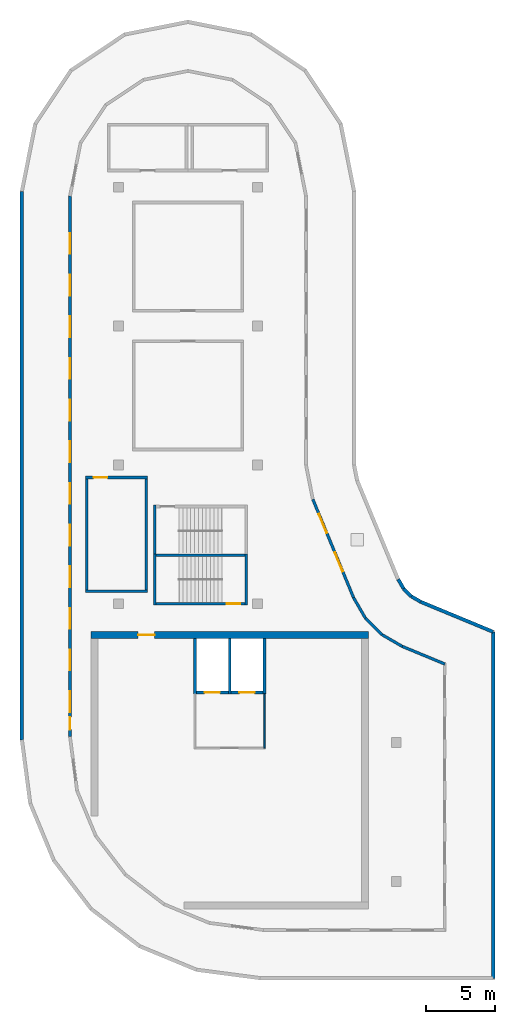
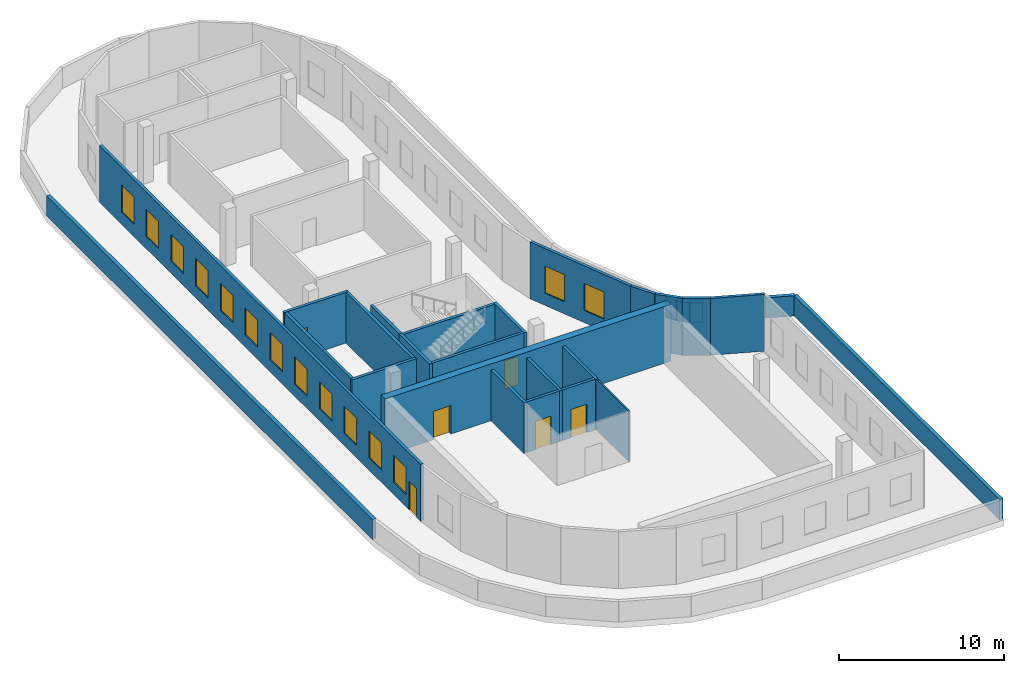
# One storey, part 2 of 5: 28 walls, 14 windows, 6 doors, 20 openings.
"""IFC4 building model written with IfcOpenShell, lengths in metres."""

from ifc_helpers import new_model, si_unit, direction, frame, frame_2d, origin, place, context, subcontext, project, spatial, rectangle, extrude, material, layer, layer_set, type_object, element, fill, save


model = new_model("IFC4")

# Units and contexts
model_context = context("Model", 3, precision=1e-05, world=origin(), true_north=direction((0.0, 1.0)))
body_context = subcontext(model_context, "Body", "Model", "MODEL_VIEW")
ifc_project = project(units=[si_unit("LENGTHUNIT", "METRE"), si_unit("AREAUNIT", "SQUARE_METRE"), si_unit("VOLUMEUNIT", "CUBIC_METRE"), si_unit("PLANEANGLEUNIT", "RADIAN"), si_unit("MASSUNIT", "GRAM", prefix="KILO")], contexts=[model_context])

# Site, building, storey
site_placement = place(None, origin())
site = spatial("IfcSite", under=ifc_project, at=site_placement, CompositionType="ELEMENT")
building_placement = place(site_placement, origin())
building = spatial("IfcBuilding", under=site, at=building_placement, Name="Qaws Garden Tower", CompositionType="ELEMENT")
storey_placement = place(building_placement, frame((0.0, 0.0, 369.60009765625)))
storey = spatial("IfcBuildingStorey", under=building, at=storey_placement, Name="C2", CompositionType="ELEMENT", Elevation=369.60009765625)

# Wall
ifc_material_1 = material(Name="Plasterboard")
ifc_layer_1 = layer(ifc_material_1, 0.10009765625)
ifc_layer_set_1 = layer_set([ifc_layer_1], Name="Plasterboard")
wall_type_1 = type_object("IfcWallType", Name="Core partition 100", PredefinedType="PARTITIONING", material=ifc_layer_set_1)
wall_1_placement = place(storey_placement, frame((20.5, 19.60009765625, 0.0), z_axis=(0.0, 0.0, 1.0), x_axis=(0.0, 1.0, 0.0)))
element("IfcWall", 1, at=wall_1_placement, inside=storey, type_object=wall_type_1, Name="Lift lobby wall", PredefinedType="PARTITIONING", context=body_context, shape_type="SweptSolid", body=[
    extrude(rectangle(XDim=3.89990234375, YDim=0.10009765625, at=frame_2d((1.949951171875, 0.0))), origin(), (0.0, 0.0, 1.0), 3.75),
])

# Wall, opening, door
ifc_material_2 = material(Name="Concrete C60", Category="concrete")
ifc_layer_2 = layer(ifc_material_2, 0.199951171875)
ifc_layer_set_2 = layer_set([ifc_layer_2], Name="Concrete C60")
wall_type_2 = type_object("IfcWallType", Name="Core shaft wall 200 C60", PredefinedType="SHEAR", material=ifc_layer_set_2)
wall_2_placement = place(storey_placement, frame((12.699951171875, 30.0, 0.0), z_axis=(0.0, 0.0, 1.0), x_axis=(1.0, 0.0, 0.0)))
wall_2 = element("IfcWall", 2, at=wall_2_placement, inside=storey, type_object=wall_type_2, Name="Crown stair 1 wall", PredefinedType="SHEAR", context=body_context, shape_type="SweptSolid", body=[
    extrude(rectangle(XDim=6.400146484375, YDim=0.199951171875, at=frame_2d((3.2001953125, 0.0))), origin(), (0.0, 0.0, 1.0), 3.75),
])
opening_1_placement = place(wall_2_placement, frame((5.074951171875, 0.0, 0.0)))
opening_1 = element("IfcOpeningElement", 3, at=opening_1_placement, cuts=wall_2, Name="Opening C1018", PredefinedType="OPENING", context=body_context, shape_type="SweptSolid", body=[
    extrude(rectangle(XDim=1.0, YDim=2.10009765625, at=frame_2d((0.5, 1.050048828125))), frame((0.0, 0.10986328125, 0.0), z_axis=(0.0, -1.0, 0.0), x_axis=(1.0, 0.0, 0.0)), (0.0, 0.0, 1.0), 0.219970703125),
])
ifc_material_3 = material(Name="Steel S235", Category="steel")
door_type_1 = type_object("IfcDoorType", Name="Stair door 1000x2100", OperationType="SINGLE_SWING_RIGHT", PredefinedType="DOOR", material=ifc_material_3)
door_1_placement = place(opening_1_placement, origin())
door_1 = element("IfcDoor", 4, at=door_1_placement, inside=storey, type_object=door_type_1, Name="Crown stair 1 door", OperationType="SINGLE_SWING_RIGHT", OverallHeight=2.10009765625, OverallWidth=1.0, PredefinedType="DOOR", context=body_context, shape_type="SweptSolid", body=[
    extrude(rectangle(XDim=1.0, YDim=2.10009765625, at=frame_2d((0.5, 1.050048828125))), frame((0.0, 0.02490234375, 0.0), z_axis=(0.0, -1.0, 0.0), x_axis=(1.0, 0.0, 0.0)), (0.0, 0.0, 1.0), 0.050048828125),
])
fill(opening_1, door_1)

# Walls
wall_3_placement = place(storey_placement, frame((12.699951171875, 33.5, 0.0), z_axis=(0.0, 0.0, 1.0), x_axis=(1.0, 0.0, 0.0)))
element("IfcWall", 5, at=wall_3_placement, inside=storey, type_object=wall_type_2, Name="Crown stair 1 wall", PredefinedType="SHEAR", context=body_context, shape_type="SweptSolid", body=[
    extrude(rectangle(XDim=6.400146484375, YDim=0.199951171875, at=frame_2d((3.2001953125, 0.0))), origin(), (0.0, 0.0, 1.0), 3.75),
])
for number, where, z_axis, x_axis, name in (
    (6, (12.60009765625, 29.89990234375, 0.0), (0.0, 0.0, 1.0), (0.0, 1.0, 0.0), "Crown stair 1 wall"),
    (7, (19.199951171875, 29.89990234375, 0.0), (0.0, 0.0, 1.0), (0.0, 1.0, 0.0), "Crown stair 1 wall"),
    (8, (12.60009765625, 33.39990234375, 0.0), (0.0, 0.0, 1.0), (0.0, 1.0, 0.0), "Crown stair 2 wall"),
):
    element("IfcWall", number, at=place(storey_placement, frame(where, z_axis=z_axis, x_axis=x_axis)), inside=storey, type_object=wall_type_2, Name=name, PredefinedType="SHEAR", context=body_context, shape_type="SweptSolid", body=[
        extrude(rectangle(XDim=3.7001953125, YDim=0.199951171875, at=frame_2d((1.85009765625, 0.0))), origin(), (0.0, 0.0, 1.0), 3.75),
    ])
for number, where, z_axis, x_axis, name in (
    (9, (15.5, 23.5, 0.0), (0.0, 0.0, 1.0), (0.0, 1.0, 0.0), "Lift shaft wall"),
    (10, (18.0, 23.5, 0.0), (0.0, 0.0, 1.0), (0.0, 1.0, 0.0), "Lift shaft wall"),
    (11, (20.5, 23.5, 0.0), (0.0, 0.0, 1.0), (0.0, 1.0, 0.0), "Lift shaft wall"),
):
    element("IfcWall", number, at=place(storey_placement, frame(where, z_axis=z_axis, x_axis=x_axis)), inside=storey, type_object=wall_type_2, Name=name, PredefinedType="SHEAR", context=body_context, shape_type="SweptSolid", body=[
        extrude(rectangle(XDim=4.0, YDim=0.199951171875, at=frame_2d((2.0, 0.0))), origin(), (0.0, 0.0, 1.0), 3.75),
    ])

# Wall, opening, door
wall_4_placement = place(storey_placement, frame((15.60009765625, 23.60009765625, 0.0), z_axis=(0.0, 0.0, 1.0), x_axis=(1.0, 0.0, 0.0)))
wall_4 = element("IfcWall", 12, at=wall_4_placement, inside=storey, type_object=wall_type_2, Name="Lift shaft wall", PredefinedType="SHEAR", context=body_context, shape_type="SweptSolid", body=[
    extrude(rectangle(XDim=2.2998046875, YDim=0.199951171875, at=frame_2d((1.14990234375, 0.0))), origin(), (0.0, 0.0, 1.0), 3.75),
])
opening_2_placement = place(wall_4_placement, frame((0.60009765625, 0.0, 0.0)))
opening_2 = element("IfcOpeningElement", 13, at=opening_2_placement, cuts=wall_4, Name="Opening LD", PredefinedType="OPENING", context=body_context, shape_type="SweptSolid", body=[
    extrude(rectangle(XDim=1.10009765625, YDim=2.10009765625, at=frame_2d((0.550048828125, 1.050048828125))), frame((0.0, 0.10986328125, 0.0), z_axis=(0.0, -1.0, 0.0), x_axis=(1.0, 0.0, 0.0)), (0.0, 0.0, 1.0), 0.219970703125),
])
ifc_material_4 = material(Name="Steel S235", Category="steel")
door_type_2 = type_object("IfcDoorType", Name="Landing door 1100x2100", OperationType="DOUBLE_DOOR_SLIDING", PredefinedType="DOOR", material=ifc_material_4)
door_2_placement = place(opening_2_placement, origin())
door_2 = element("IfcDoor", 14, at=door_2_placement, inside=storey, type_object=door_type_2, Name="Lift FF3 landing door", OperationType="DOUBLE_DOOR_SLIDING", OverallHeight=2.10009765625, OverallWidth=1.10009765625, PredefinedType="DOOR", context=body_context, shape_type="SweptSolid", body=[
    extrude(rectangle(XDim=1.10009765625, YDim=2.10009765625, at=frame_2d((0.550048828125, 1.050048828125))), frame((0.0, 0.02490234375, 0.0), z_axis=(0.0, -1.0, 0.0), x_axis=(1.0, 0.0, 0.0)), (0.0, 0.0, 1.0), 0.050048828125),
])
fill(opening_2, door_2)

wall_5_placement = place(storey_placement, frame((18.10009765625, 23.60009765625, 0.0), z_axis=(0.0, 0.0, 1.0), x_axis=(1.0, 0.0, 0.0)))
wall_5 = element("IfcWall", 15, at=wall_5_placement, inside=storey, type_object=wall_type_2, Name="Lift shaft wall", PredefinedType="SHEAR", context=body_context, shape_type="SweptSolid", body=[
    extrude(rectangle(XDim=2.2998046875, YDim=0.199951171875, at=frame_2d((1.14990234375, 0.0))), origin(), (0.0, 0.0, 1.0), 3.75),
])
opening_3_placement = place(wall_5_placement, frame((0.60009765625, 0.0, 0.0)))
opening_3 = element("IfcOpeningElement", 16, at=opening_3_placement, cuts=wall_5, Name="Opening LD", PredefinedType="OPENING", context=body_context, shape_type="SweptSolid", body=[
    extrude(rectangle(XDim=1.10009765625, YDim=2.10009765625, at=frame_2d((0.550048828125, 1.050048828125))), frame((0.0, 0.10986328125, 0.0), z_axis=(0.0, -1.0, 0.0), x_axis=(1.0, 0.0, 0.0)), (0.0, 0.0, 1.0), 0.219970703125),
])
door_3_placement = place(opening_3_placement, origin())
door_3 = element("IfcDoor", 17, at=door_3_placement, inside=storey, type_object=door_type_2, Name="Lift SV2 landing door", OperationType="DOUBLE_DOOR_SLIDING", OverallHeight=2.10009765625, OverallWidth=1.10009765625, PredefinedType="DOOR", context=body_context, shape_type="SweptSolid", body=[
    extrude(rectangle(XDim=1.10009765625, YDim=2.10009765625, at=frame_2d((0.550048828125, 1.050048828125))), frame((0.0, 0.02490234375, 0.0), z_axis=(0.0, -1.0, 0.0), x_axis=(1.0, 0.0, 0.0)), (0.0, 0.0, 1.0), 0.050048828125),
])
fill(opening_3, door_3)

ifc_material_5 = material(Name="Concrete C60", Category="concrete")
ifc_layer_3 = layer(ifc_material_5, 0.5)
ifc_layer_set_3 = layer_set([ifc_layer_3], Name="Concrete C60")
wall_type_3 = type_object("IfcWallType", Name="Core wall 500 C60", PredefinedType="SHEAR", material=ifc_layer_set_3)
wall_6_placement = place(storey_placement, frame((28.0, 27.75, 0.0), z_axis=(0.0, 0.0, 1.0), x_axis=(-1.0, 0.0, 0.0)))
wall_6 = element("IfcWall", 18, at=wall_6_placement, inside=storey, type_object=wall_type_3, Name="Core wall C2 north", PredefinedType="SHEAR", context=body_context, shape_type="SweptSolid", body=[
    extrude(rectangle(XDim=20.0, YDim=0.5, at=frame_2d((10.0, 0.0))), origin(), (0.0, 0.0, 1.0), 4.199951171875),
])
opening_4_placement = place(wall_6_placement, frame((15.39990234375, 0.0, 0.0)))
opening_4 = element("IfcOpeningElement", 19, at=opening_4_placement, cuts=wall_6, Name="Opening FD", PredefinedType="OPENING", context=body_context, shape_type="SweptSolid", body=[
    extrude(rectangle(XDim=1.199951171875, YDim=2.10009765625, at=frame_2d((0.60009765625, 1.050048828125))), frame((0.0, 0.260009765625, 0.0), z_axis=(0.0, -1.0, 0.0), x_axis=(1.0, 0.0, 0.0)), (0.0, 0.0, 1.0), 0.52001953125),
])
ifc_material_6 = material(Name="Steel S235", Category="steel")
door_type_3 = type_object("IfcDoorType", Name="Lobby door 1200x2100", OperationType="DOUBLE_DOOR_SINGLE_SWING", PredefinedType="DOOR", material=ifc_material_6)
door_4_placement = place(opening_4_placement, frame((1.199951171875, 0.0, 0.0), z_axis=(0.0, 0.0, 1.0), x_axis=(-1.0, 0.0, 0.0)))
door_4 = element("IfcDoor", 20, at=door_4_placement, inside=storey, type_object=door_type_3, Name="Core corridor door", OperationType="DOUBLE_DOOR_SINGLE_SWING", OverallHeight=2.10009765625, OverallWidth=1.199951171875, PredefinedType="DOOR", context=body_context, shape_type="SweptSolid", body=[
    extrude(rectangle(XDim=1.199951171875, YDim=2.10009765625, at=frame_2d((0.60009765625, 1.050048828125))), frame((0.0, 0.02490234375, 0.0), z_axis=(0.0, -1.0, 0.0), x_axis=(1.0, 0.0, 0.0)), (0.0, 0.0, 1.0), 0.050048828125),
])
fill(opening_4, door_4)

# Walls
ifc_material_7 = material(Name="Brick masonry", Category="masonry")
ifc_layer_4 = layer(ifc_material_7, 0.25)
ifc_layer_set_4 = layer_set([ifc_layer_4], Name="Brick masonry")
wall_type_4 = type_object("IfcWallType", Name="Parapet 250", PredefinedType="PARAPET", material=ifc_layer_set_4)
wall_7_placement = place(storey_placement, frame((3.02490234375, 20.1982421875, 0.0), z_axis=(0.0, 0.0, 1.0), x_axis=(0.0, 1.0, 0.0)))
element("IfcWall", 21, at=wall_7_placement, inside=storey, type_object=wall_type_4, Name="Maintenance terrace parapet C2", PredefinedType="PARAPET", context=body_context, shape_type="SweptSolid", body=[
    extrude(rectangle(XDim=39.50390625, YDim=0.25, at=frame_2d((19.751953125, 0.0))), origin(), (0.0, 0.0, 1.0), 1.5),
])
wall_8_placement = place(storey_placement, frame((30.13720703125, 31.763671875, 0.0), z_axis=(0.0, 0.0, 1.0), x_axis=(0.500371262739, -0.865810949009, 0.0)))
element("IfcWall", 22, at=wall_8_placement, inside=storey, type_object=wall_type_4, Name="Maintenance terrace parapet C2", PredefinedType="PARAPET", context=body_context, shape_type="SweptSolid", body=[
    extrude(rectangle(XDim=0.78173828125, YDim=0.25, at=frame_2d((0.390869140625, 0.0))), origin(), (0.0, 0.0, 1.0), 1.5),
])
wall_9_placement = place(storey_placement, frame((30.5283203125, 31.0869140625, 0.0), z_axis=(0.0, 0.0, 1.0), x_axis=(0.707106781187, -0.707106781187, 0.0)))
element("IfcWall", 23, at=wall_9_placement, inside=storey, type_object=wall_type_4, Name="Maintenance terrace parapet C2", PredefinedType="PARAPET", context=body_context, shape_type="SweptSolid", body=[
    extrude(rectangle(XDim=0.7900390625, YDim=0.25, at=frame_2d((0.39501953125, 0.0))), origin(), (0.0, 0.0, 1.0), 1.5),
])
wall_10_placement = place(storey_placement, frame((31.0869140625, 30.5283203125, 0.0), z_axis=(0.0, 0.0, 1.0), x_axis=(0.865810949009, -0.500371262739, 0.0)))
element("IfcWall", 24, at=wall_10_placement, inside=storey, type_object=wall_type_4, Name="Maintenance terrace parapet C2", PredefinedType="PARAPET", context=body_context, shape_type="SweptSolid", body=[
    extrude(rectangle(XDim=0.78173828125, YDim=0.25, at=frame_2d((0.390869140625, 0.0))), origin(), (0.0, 0.0, 1.0), 1.5),
])
wall_11_placement = place(storey_placement, frame((31.763671875, 30.13720703125, 0.0), z_axis=(0.0, 0.0, 1.0), x_axis=(0.923891815311, -0.382653777718, 0.0)))
element("IfcWall", 25, at=wall_11_placement, inside=storey, type_object=wall_type_4, Name="Maintenance terrace parapet C2", PredefinedType="PARAPET", context=body_context, shape_type="SweptSolid", body=[
    extrude(rectangle(XDim=5.640625, YDim=0.25, at=frame_2d((2.8203125, 0.0))), origin(), (0.0, 0.0, 1.0), 1.5),
])
wall_12_placement = place(storey_placement, frame((36.97509765625, 27.978759765625, 0.0), z_axis=(0.0, 0.0, 1.0), x_axis=(0.0, -1.0, 0.0)))
element("IfcWall", 26, at=wall_12_placement, inside=storey, type_object=wall_type_4, Name="Maintenance terrace parapet C2", PredefinedType="PARAPET", context=body_context, shape_type="SweptSolid", body=[
    extrude(rectangle(XDim=24.953857421875, YDim=0.25, at=frame_2d((12.47705078125, 0.0))), origin(), (0.0, 0.0, 1.0), 1.5),
])
ifc_material_8 = material(Name="Blockwork", Category="masonry")
ifc_layer_5 = layer(ifc_material_8, 0.199951171875)
ifc_layer_set_5 = layer_set([ifc_layer_5], Name="Blockwork")
wall_type_5 = type_object("IfcWallType", Name="Plant room wall 200", PredefinedType="PARTITIONING", material=ifc_layer_set_5)
wall_13_placement = place(storey_placement, frame((7.60009765625, 30.89990234375, 0.0), z_axis=(0.0, 0.0, 1.0), x_axis=(1.0, 0.0, 0.0)))
element("IfcWall", 27, at=wall_13_placement, inside=storey, type_object=wall_type_5, Name="Mechanical plant room wall", PredefinedType="PARTITIONING", context=body_context, shape_type="SweptSolid", body=[
    extrude(rectangle(XDim=4.5, YDim=0.199951171875, at=frame_2d((2.25, 0.0))), origin(), (0.0, 0.0, 1.0), 3.75),
])

# Wall, opening, door
wall_14_placement = place(storey_placement, frame((7.60009765625, 39.10009765625, 0.0), z_axis=(0.0, 0.0, 1.0), x_axis=(1.0, 0.0, 0.0)))
wall_14 = element("IfcWall", 28, at=wall_14_placement, inside=storey, type_object=wall_type_5, Name="Mechanical plant room wall", PredefinedType="PARTITIONING", context=body_context, shape_type="SweptSolid", body=[
    extrude(rectangle(XDim=4.5, YDim=0.199951171875, at=frame_2d((2.25, 0.0))), origin(), (0.0, 0.0, 1.0), 3.75),
])
opening_5_placement = place(wall_14_placement, frame((0.60009765625, 0.0, 0.0)))
opening_5 = element("IfcOpeningElement", 29, at=opening_5_placement, cuts=wall_14, Name="Opening PD12-05", PredefinedType="OPENING", context=body_context, shape_type="SweptSolid", body=[
    extrude(rectangle(XDim=1.0, YDim=2.10009765625, at=frame_2d((0.5, 1.050048828125))), frame((0.0, 0.10986328125, 0.0), z_axis=(0.0, -1.0, 0.0), x_axis=(1.0, 0.0, 0.0)), (0.0, 0.0, 1.0), 0.219970703125),
])
ifc_material_9 = material(Name="Steel S235 framed door leaf", Category="steel")
door_type_4 = type_object("IfcDoorType", Name="Door D12 fire single 1000", OperationType="SINGLE_SWING_LEFT", PredefinedType="DOOR", material=ifc_material_9)
door_5_placement = place(opening_5_placement, frame((1.0, 0.0, 0.0), z_axis=(0.0, 0.0, 1.0), x_axis=(-1.0, 0.0, 0.0)))
door_5 = element("IfcDoor", 30, at=door_5_placement, inside=storey, type_object=door_type_4, Name="Mechanical plant room door", OperationType="SINGLE_SWING_RIGHT", OverallHeight=2.10009765625, OverallWidth=1.0, PredefinedType="DOOR", context=body_context, shape_type="SweptSolid", body=[
    extrude(rectangle(XDim=1.0, YDim=2.10009765625, at=frame_2d((0.5, 1.050048828125))), frame((0.0, 0.02490234375, 0.0), z_axis=(0.0, -1.0, 0.0), x_axis=(1.0, 0.0, 0.0)), (0.0, 0.0, 1.0), 0.050048828125),
])
fill(opening_5, door_5)

# Walls
for number, where, z_axis, x_axis, name in (
    (31, (7.699951171875, 31.0, 0.0), (0.0, 0.0, 1.0), (0.0, 1.0, 0.0), "Mechanical plant room wall"),
    (32, (12.0, 31.0, 0.0), (0.0, 0.0, 1.0), (0.0, 1.0, 0.0), "Mechanical plant room wall"),
):
    element("IfcWall", number, at=place(storey_placement, frame(where, z_axis=z_axis, x_axis=x_axis)), inside=storey, type_object=wall_type_5, Name=name, PredefinedType="PARTITIONING", context=body_context, shape_type="SweptSolid", body=[
        extrude(rectangle(XDim=8.0, YDim=0.199951171875, at=frame_2d((4.0, 0.0))), origin(), (0.0, 0.0, 1.0), 3.75),
    ])

# Wall, openings, windows, door
ifc_material_10 = material(Name="Brick masonry", Category="masonry")
ifc_layer_6 = layer(ifc_material_10, 0.199951171875)
ifc_layer_set_6 = layer_set([ifc_layer_6], Name="Brick masonry")
wall_type_6 = type_object("IfcWallType", Name="Plant screen louvre 200", PredefinedType="STANDARD", material=ifc_layer_set_6)
wall_15_placement = place(storey_placement, frame((6.5, 20.426025390625, 0.0), z_axis=(0.0, 0.0, 1.0), x_axis=(0.0, 1.0, 0.0)))
wall_15 = element("IfcWall", 33, at=wall_15_placement, inside=storey, type_object=wall_type_6, Name="Plant screen wall C2 7", PredefinedType="STANDARD", context=body_context, shape_type="SweptSolid", body=[
    extrude(rectangle(XDim=38.933837890625, YDim=0.199951171875, at=frame_2d((19.466796875, 0.0))), origin(), (0.0, 0.0, 1.0), 4.199951171875),
])
opening_6_placement = place(wall_15_placement, frame((1.766845703125, 0.0, 0.89990234375)))
opening_6 = element("IfcOpeningElement", 34, at=opening_6_placement, cuts=wall_15, Name="Opening PW-S4", PredefinedType="OPENING", context=body_context, shape_type="SweptSolid", body=[
    extrude(rectangle(XDim=1.5, YDim=2.0, at=frame_2d((0.75, 1.0))), frame((0.0, 0.10986328125, 0.0), z_axis=(0.0, -1.0, 0.0), x_axis=(1.0, 0.0, 0.0)), (0.0, 0.0, 1.0), 0.219970703125),
])
opening_7_placement = place(wall_15_placement, frame((4.766845703125, 0.0, 0.89990234375)))
opening_7 = element("IfcOpeningElement", 35, at=opening_7_placement, cuts=wall_15, Name="Opening PW-S4", PredefinedType="OPENING", context=body_context, shape_type="SweptSolid", body=[
    extrude(rectangle(XDim=1.5, YDim=2.0, at=frame_2d((0.75, 1.0))), frame((0.0, 0.10986328125, 0.0), z_axis=(0.0, -1.0, 0.0), x_axis=(1.0, 0.0, 0.0)), (0.0, 0.0, 1.0), 0.219970703125),
])
opening_8_placement = place(wall_15_placement, frame((7.766845703125, 0.0, 0.89990234375)))
opening_8 = element("IfcOpeningElement", 36, at=opening_8_placement, cuts=wall_15, Name="Opening PW-S4", PredefinedType="OPENING", context=body_context, shape_type="SweptSolid", body=[
    extrude(rectangle(XDim=1.5, YDim=2.0, at=frame_2d((0.75, 1.0))), frame((0.0, 0.10986328125, 0.0), z_axis=(0.0, -1.0, 0.0), x_axis=(1.0, 0.0, 0.0)), (0.0, 0.0, 1.0), 0.219970703125),
])
opening_9_placement = place(wall_15_placement, frame((10.766845703125, 0.0, 0.89990234375)))
opening_9 = element("IfcOpeningElement", 37, at=opening_9_placement, cuts=wall_15, Name="Opening PW-S4", PredefinedType="OPENING", context=body_context, shape_type="SweptSolid", body=[
    extrude(rectangle(XDim=1.5, YDim=2.0, at=frame_2d((0.75, 1.0))), frame((0.0, 0.10986328125, 0.0), z_axis=(0.0, -1.0, 0.0), x_axis=(1.0, 0.0, 0.0)), (0.0, 0.0, 1.0), 0.219970703125),
])
opening_10_placement = place(wall_15_placement, frame((13.766845703125, 0.0, 0.89990234375)))
opening_10 = element("IfcOpeningElement", 38, at=opening_10_placement, cuts=wall_15, Name="Opening PW-S4", PredefinedType="OPENING", context=body_context, shape_type="SweptSolid", body=[
    extrude(rectangle(XDim=1.5, YDim=2.0, at=frame_2d((0.75, 1.0))), frame((0.0, 0.10986328125, 0.0), z_axis=(0.0, -1.0, 0.0), x_axis=(1.0, 0.0, 0.0)), (0.0, 0.0, 1.0), 0.219970703125),
])
opening_11_placement = place(wall_15_placement, frame((16.766845703125, 0.0, 0.89990234375)))
opening_11 = element("IfcOpeningElement", 39, at=opening_11_placement, cuts=wall_15, Name="Opening PW-S4", PredefinedType="OPENING", context=body_context, shape_type="SweptSolid", body=[
    extrude(rectangle(XDim=1.5, YDim=2.0, at=frame_2d((0.75, 1.0))), frame((0.0, 0.10986328125, 0.0), z_axis=(0.0, -1.0, 0.0), x_axis=(1.0, 0.0, 0.0)), (0.0, 0.0, 1.0), 0.219970703125),
])
opening_12_placement = place(wall_15_placement, frame((19.766845703125, 0.0, 0.89990234375)))
opening_12 = element("IfcOpeningElement", 40, at=opening_12_placement, cuts=wall_15, Name="Opening PW-S4", PredefinedType="OPENING", context=body_context, shape_type="SweptSolid", body=[
    extrude(rectangle(XDim=1.5, YDim=2.0, at=frame_2d((0.75, 1.0))), frame((0.0, 0.10986328125, 0.0), z_axis=(0.0, -1.0, 0.0), x_axis=(1.0, 0.0, 0.0)), (0.0, 0.0, 1.0), 0.219970703125),
])
opening_13_placement = place(wall_15_placement, frame((22.766845703125, 0.0, 0.89990234375)))
opening_13 = element("IfcOpeningElement", 41, at=opening_13_placement, cuts=wall_15, Name="Opening PW-S4", PredefinedType="OPENING", context=body_context, shape_type="SweptSolid", body=[
    extrude(rectangle(XDim=1.5, YDim=2.0, at=frame_2d((0.75, 1.0))), frame((0.0, 0.10986328125, 0.0), z_axis=(0.0, -1.0, 0.0), x_axis=(1.0, 0.0, 0.0)), (0.0, 0.0, 1.0), 0.219970703125),
])
opening_14_placement = place(wall_15_placement, frame((25.766845703125, 0.0, 0.89990234375)))
opening_14 = element("IfcOpeningElement", 42, at=opening_14_placement, cuts=wall_15, Name="Opening PW-S4", PredefinedType="OPENING", context=body_context, shape_type="SweptSolid", body=[
    extrude(rectangle(XDim=1.5, YDim=2.0, at=frame_2d((0.75, 1.0))), frame((0.0, 0.10986328125, 0.0), z_axis=(0.0, -1.0, 0.0), x_axis=(1.0, 0.0, 0.0)), (0.0, 0.0, 1.0), 0.219970703125),
])
opening_15_placement = place(wall_15_placement, frame((28.766845703125, 0.0, 0.89990234375)))
opening_15 = element("IfcOpeningElement", 43, at=opening_15_placement, cuts=wall_15, Name="Opening PW-S4", PredefinedType="OPENING", context=body_context, shape_type="SweptSolid", body=[
    extrude(rectangle(XDim=1.5, YDim=2.0, at=frame_2d((0.75, 1.0))), frame((0.0, 0.10986328125, 0.0), z_axis=(0.0, -1.0, 0.0), x_axis=(1.0, 0.0, 0.0)), (0.0, 0.0, 1.0), 0.219970703125),
])
opening_16_placement = place(wall_15_placement, frame((31.766845703125, 0.0, 0.89990234375)))
opening_16 = element("IfcOpeningElement", 44, at=opening_16_placement, cuts=wall_15, Name="Opening PW-S4", PredefinedType="OPENING", context=body_context, shape_type="SweptSolid", body=[
    extrude(rectangle(XDim=1.5, YDim=2.0, at=frame_2d((0.75, 1.0))), frame((0.0, 0.10986328125, 0.0), z_axis=(0.0, -1.0, 0.0), x_axis=(1.0, 0.0, 0.0)), (0.0, 0.0, 1.0), 0.219970703125),
])
opening_17_placement = place(wall_15_placement, frame((34.766845703125, 0.0, 0.89990234375)))
opening_17 = element("IfcOpeningElement", 45, at=opening_17_placement, cuts=wall_15, Name="Opening PW-S4", PredefinedType="OPENING", context=body_context, shape_type="SweptSolid", body=[
    extrude(rectangle(XDim=1.5, YDim=2.0, at=frame_2d((0.75, 1.0))), frame((0.0, 0.10986328125, 0.0), z_axis=(0.0, -1.0, 0.0), x_axis=(1.0, 0.0, 0.0)), (0.0, 0.0, 1.0), 0.219970703125),
])
opening_18_placement = place(wall_15_placement, frame((0.5, 0.0, 0.0)))
opening_18 = element("IfcOpeningElement", 46, at=opening_18_placement, cuts=wall_15, Name="Opening PD9-01", PredefinedType="OPENING", context=body_context, shape_type="SweptSolid", body=[
    extrude(rectangle(XDim=0.89990234375, YDim=2.10009765625, at=frame_2d((0.449951171875, 1.050048828125))), frame((0.0, 0.10986328125, 0.0), z_axis=(0.0, -1.0, 0.0), x_axis=(1.0, 0.0, 0.0)), (0.0, 0.0, 1.0), 0.219970703125),
])
ifc_material_11 = material(Name="Aluminium louvre", Category="aluminium")
window_type = type_object("IfcWindowType", Name="Plant louvre 1500", PartitioningType="SINGLE_PANEL", PredefinedType="WINDOW", material=ifc_material_11)
window_1_placement = place(opening_6_placement, origin())
window_1 = element("IfcWindow", 47, at=window_1_placement, inside=storey, type_object=window_type, Name="Plant louvre", OverallHeight=2.0, OverallWidth=1.5, PartitioningType="SINGLE_PANEL", PredefinedType="WINDOW", context=body_context, shape_type="SweptSolid", body=[
    extrude(rectangle(XDim=1.5, YDim=2.0, at=frame_2d((0.75, 1.0))), frame((0.0, 0.030029296875, 0.0), z_axis=(0.0, -1.0, 0.0), x_axis=(1.0, 0.0, 0.0)), (0.0, 0.0, 1.0), 0.06005859375),
])
fill(opening_6, window_1)
window_2_placement = place(opening_7_placement, origin())
window_2 = element("IfcWindow", 48, at=window_2_placement, inside=storey, type_object=window_type, Name="Plant louvre", OverallHeight=2.0, OverallWidth=1.5, PartitioningType="SINGLE_PANEL", PredefinedType="WINDOW", context=body_context, shape_type="SweptSolid", body=[
    extrude(rectangle(XDim=1.5, YDim=2.0, at=frame_2d((0.75, 1.0))), frame((0.0, 0.030029296875, 0.0), z_axis=(0.0, -1.0, 0.0), x_axis=(1.0, 0.0, 0.0)), (0.0, 0.0, 1.0), 0.06005859375),
])
fill(opening_7, window_2)
window_3_placement = place(opening_8_placement, origin())
window_3 = element("IfcWindow", 49, at=window_3_placement, inside=storey, type_object=window_type, Name="Plant louvre", OverallHeight=2.0, OverallWidth=1.5, PartitioningType="SINGLE_PANEL", PredefinedType="WINDOW", context=body_context, shape_type="SweptSolid", body=[
    extrude(rectangle(XDim=1.5, YDim=2.0, at=frame_2d((0.75, 1.0))), frame((0.0, 0.030029296875, 0.0), z_axis=(0.0, -1.0, 0.0), x_axis=(1.0, 0.0, 0.0)), (0.0, 0.0, 1.0), 0.06005859375),
])
fill(opening_8, window_3)
window_4_placement = place(opening_9_placement, origin())
window_4 = element("IfcWindow", 50, at=window_4_placement, inside=storey, type_object=window_type, Name="Plant louvre", OverallHeight=2.0, OverallWidth=1.5, PartitioningType="SINGLE_PANEL", PredefinedType="WINDOW", context=body_context, shape_type="SweptSolid", body=[
    extrude(rectangle(XDim=1.5, YDim=2.0, at=frame_2d((0.75, 1.0))), frame((0.0, 0.030029296875, 0.0), z_axis=(0.0, -1.0, 0.0), x_axis=(1.0, 0.0, 0.0)), (0.0, 0.0, 1.0), 0.06005859375),
])
fill(opening_9, window_4)
window_5_placement = place(opening_10_placement, origin())
window_5 = element("IfcWindow", 51, at=window_5_placement, inside=storey, type_object=window_type, Name="Plant louvre", OverallHeight=2.0, OverallWidth=1.5, PartitioningType="SINGLE_PANEL", PredefinedType="WINDOW", context=body_context, shape_type="SweptSolid", body=[
    extrude(rectangle(XDim=1.5, YDim=2.0, at=frame_2d((0.75, 1.0))), frame((0.0, 0.030029296875, 0.0), z_axis=(0.0, -1.0, 0.0), x_axis=(1.0, 0.0, 0.0)), (0.0, 0.0, 1.0), 0.06005859375),
])
fill(opening_10, window_5)
window_6_placement = place(opening_11_placement, origin())
window_6 = element("IfcWindow", 52, at=window_6_placement, inside=storey, type_object=window_type, Name="Plant louvre", OverallHeight=2.0, OverallWidth=1.5, PartitioningType="SINGLE_PANEL", PredefinedType="WINDOW", context=body_context, shape_type="SweptSolid", body=[
    extrude(rectangle(XDim=1.5, YDim=2.0, at=frame_2d((0.75, 1.0))), frame((0.0, 0.030029296875, 0.0), z_axis=(0.0, -1.0, 0.0), x_axis=(1.0, 0.0, 0.0)), (0.0, 0.0, 1.0), 0.06005859375),
])
fill(opening_11, window_6)
window_7_placement = place(opening_12_placement, origin())
window_7 = element("IfcWindow", 53, at=window_7_placement, inside=storey, type_object=window_type, Name="Plant louvre", OverallHeight=2.0, OverallWidth=1.5, PartitioningType="SINGLE_PANEL", PredefinedType="WINDOW", context=body_context, shape_type="SweptSolid", body=[
    extrude(rectangle(XDim=1.5, YDim=2.0, at=frame_2d((0.75, 1.0))), frame((0.0, 0.030029296875, 0.0), z_axis=(0.0, -1.0, 0.0), x_axis=(1.0, 0.0, 0.0)), (0.0, 0.0, 1.0), 0.06005859375),
])
fill(opening_12, window_7)
window_8_placement = place(opening_13_placement, origin())
window_8 = element("IfcWindow", 54, at=window_8_placement, inside=storey, type_object=window_type, Name="Plant louvre", OverallHeight=2.0, OverallWidth=1.5, PartitioningType="SINGLE_PANEL", PredefinedType="WINDOW", context=body_context, shape_type="SweptSolid", body=[
    extrude(rectangle(XDim=1.5, YDim=2.0, at=frame_2d((0.75, 1.0))), frame((0.0, 0.030029296875, 0.0), z_axis=(0.0, -1.0, 0.0), x_axis=(1.0, 0.0, 0.0)), (0.0, 0.0, 1.0), 0.06005859375),
])
fill(opening_13, window_8)
window_9_placement = place(opening_14_placement, origin())
window_9 = element("IfcWindow", 55, at=window_9_placement, inside=storey, type_object=window_type, Name="Plant louvre", OverallHeight=2.0, OverallWidth=1.5, PartitioningType="SINGLE_PANEL", PredefinedType="WINDOW", context=body_context, shape_type="SweptSolid", body=[
    extrude(rectangle(XDim=1.5, YDim=2.0, at=frame_2d((0.75, 1.0))), frame((0.0, 0.030029296875, 0.0), z_axis=(0.0, -1.0, 0.0), x_axis=(1.0, 0.0, 0.0)), (0.0, 0.0, 1.0), 0.06005859375),
])
fill(opening_14, window_9)
window_10_placement = place(opening_15_placement, origin())
window_10 = element("IfcWindow", 56, at=window_10_placement, inside=storey, type_object=window_type, Name="Plant louvre", OverallHeight=2.0, OverallWidth=1.5, PartitioningType="SINGLE_PANEL", PredefinedType="WINDOW", context=body_context, shape_type="SweptSolid", body=[
    extrude(rectangle(XDim=1.5, YDim=2.0, at=frame_2d((0.75, 1.0))), frame((0.0, 0.030029296875, 0.0), z_axis=(0.0, -1.0, 0.0), x_axis=(1.0, 0.0, 0.0)), (0.0, 0.0, 1.0), 0.06005859375),
])
fill(opening_15, window_10)
window_11_placement = place(opening_16_placement, origin())
window_11 = element("IfcWindow", 57, at=window_11_placement, inside=storey, type_object=window_type, Name="Plant louvre", OverallHeight=2.0, OverallWidth=1.5, PartitioningType="SINGLE_PANEL", PredefinedType="WINDOW", context=body_context, shape_type="SweptSolid", body=[
    extrude(rectangle(XDim=1.5, YDim=2.0, at=frame_2d((0.75, 1.0))), frame((0.0, 0.030029296875, 0.0), z_axis=(0.0, -1.0, 0.0), x_axis=(1.0, 0.0, 0.0)), (0.0, 0.0, 1.0), 0.06005859375),
])
fill(opening_16, window_11)
window_12_placement = place(opening_17_placement, origin())
window_12 = element("IfcWindow", 58, at=window_12_placement, inside=storey, type_object=window_type, Name="Plant louvre", OverallHeight=2.0, OverallWidth=1.5, PartitioningType="SINGLE_PANEL", PredefinedType="WINDOW", context=body_context, shape_type="SweptSolid", body=[
    extrude(rectangle(XDim=1.5, YDim=2.0, at=frame_2d((0.75, 1.0))), frame((0.0, 0.030029296875, 0.0), z_axis=(0.0, -1.0, 0.0), x_axis=(1.0, 0.0, 0.0)), (0.0, 0.0, 1.0), 0.06005859375),
])
fill(opening_17, window_12)
ifc_material_12 = material(Name="Steel S235 louvred door leaf", Category="steel")
door_type_5 = type_object("IfcDoorType", Name="Roof access door 900", OperationType="SINGLE_SWING_LEFT", PredefinedType="DOOR", material=ifc_material_12)
door_6_placement = place(opening_18_placement, origin())
door_6 = element("IfcDoor", 59, at=door_6_placement, inside=storey, type_object=door_type_5, Name="Plant service door to the maintenance terrace", OperationType="SINGLE_SWING_RIGHT", OverallHeight=2.10009765625, OverallWidth=0.89990234375, PredefinedType="DOOR", context=body_context, shape_type="SweptSolid", body=[
    extrude(rectangle(XDim=0.89990234375, YDim=2.10009765625, at=frame_2d((0.449951171875, 1.050048828125))), frame((0.0, 0.02490234375, 0.0), z_axis=(0.0, -1.0, 0.0), x_axis=(1.0, 0.0, 0.0)), (0.0, 0.0, 1.0), 0.050048828125),
])
fill(opening_18, door_6)

# Wall, openings, windows
wall_16_placement = place(storey_placement, frame((23.990966796875, 37.521728515625, 0.0), z_axis=(0.0, 0.0, 1.0), x_axis=(0.382684441348, -0.923879114576, 0.0)))
wall_16 = element("IfcWall", 60, at=wall_16_placement, inside=storey, type_object=wall_type_6, Name="Plant screen wall C2 18", PredefinedType="STANDARD", context=body_context, shape_type="SweptSolid", body=[
    extrude(rectangle(XDim=7.67041015625, YDim=0.199951171875, at=frame_2d((3.835205078125, 0.0))), origin(), (0.0, 0.0, 1.0), 4.199951171875),
])
opening_19_placement = place(wall_16_placement, frame((1.135009765625, 0.0, 0.89990234375)))
opening_19 = element("IfcOpeningElement", 61, at=opening_19_placement, cuts=wall_16, Name="Opening PW-S4", PredefinedType="OPENING", context=body_context, shape_type="SweptSolid", body=[
    extrude(rectangle(XDim=1.5, YDim=2.0, at=frame_2d((0.75, 1.0))), frame((0.0, 0.10986328125, 0.0), z_axis=(0.0, -1.0, 0.0), x_axis=(1.0, 0.0, 0.0)), (0.0, 0.0, 1.0), 0.219970703125),
])
opening_20_placement = place(wall_16_placement, frame((4.135009765625, 0.0, 0.89990234375)))
opening_20 = element("IfcOpeningElement", 62, at=opening_20_placement, cuts=wall_16, Name="Opening PW-S4", PredefinedType="OPENING", context=body_context, shape_type="SweptSolid", body=[
    extrude(rectangle(XDim=1.5, YDim=2.0, at=frame_2d((0.75, 1.0))), frame((0.0, 0.10986328125, 0.0), z_axis=(0.0, -1.0, 0.0), x_axis=(1.0, 0.0, 0.0)), (0.0, 0.0, 1.0), 0.219970703125),
])
window_13_placement = place(opening_19_placement, origin())
window_13 = element("IfcWindow", 63, at=window_13_placement, inside=storey, type_object=window_type, Name="Plant louvre", OverallHeight=2.0, OverallWidth=1.5, PartitioningType="SINGLE_PANEL", PredefinedType="WINDOW", context=body_context, shape_type="SweptSolid", body=[
    extrude(rectangle(XDim=1.5, YDim=2.0, at=frame_2d((0.75, 1.0))), frame((0.0, 0.030029296875, 0.0), z_axis=(0.0, -1.0, 0.0), x_axis=(1.0, 0.0, 0.0)), (0.0, 0.0, 1.0), 0.06005859375),
])
fill(opening_19, window_13)
window_14_placement = place(opening_20_placement, origin())
window_14 = element("IfcWindow", 64, at=window_14_placement, inside=storey, type_object=window_type, Name="Plant louvre", OverallHeight=2.0, OverallWidth=1.5, PartitioningType="SINGLE_PANEL", PredefinedType="WINDOW", context=body_context, shape_type="SweptSolid", body=[
    extrude(rectangle(XDim=1.5, YDim=2.0, at=frame_2d((0.75, 1.0))), frame((0.0, 0.030029296875, 0.0), z_axis=(0.0, -1.0, 0.0), x_axis=(1.0, 0.0, 0.0)), (0.0, 0.0, 1.0), 0.06005859375),
])
fill(opening_20, window_14)

# Walls
wall_17_placement = place(storey_placement, frame((26.92626953125, 30.435302734375, 0.0), z_axis=(0.0, 0.0, 1.0), x_axis=(0.500022507987, -0.866012408402, 0.0)))
element("IfcWall", 65, at=wall_17_placement, inside=storey, type_object=wall_type_6, Name="Plant screen wall C2 19", PredefinedType="STANDARD", context=body_context, shape_type="SweptSolid", body=[
    extrude(rectangle(XDim=1.6904296875, YDim=0.199951171875, at=frame_2d((0.84521484375, 0.0))), origin(), (0.0, 0.0, 1.0), 4.199951171875),
])
wall_18_placement = place(storey_placement, frame((27.771484375, 28.971435546875, 0.0), z_axis=(0.0, 0.0, 1.0), x_axis=(0.707106781187, -0.707106781187, 0.0)))
element("IfcWall", 66, at=wall_18_placement, inside=storey, type_object=wall_type_6, Name="Plant screen wall C2 20", PredefinedType="STANDARD", context=body_context, shape_type="SweptSolid", body=[
    extrude(rectangle(XDim=1.697021484375, YDim=0.199951171875, at=frame_2d((0.8486328125, 0.0))), origin(), (0.0, 0.0, 1.0), 4.199951171875),
])
wall_19_placement = place(storey_placement, frame((28.971435546875, 27.771484375, 0.0), z_axis=(0.0, 0.0, 1.0), x_axis=(0.866012408402, -0.500022507987, 0.0)))
element("IfcWall", 67, at=wall_19_placement, inside=storey, type_object=wall_type_6, Name="Plant screen wall C2 21", PredefinedType="STANDARD", context=body_context, shape_type="SweptSolid", body=[
    extrude(rectangle(XDim=1.6904296875, YDim=0.199951171875, at=frame_2d((0.84521484375, 0.0))), origin(), (0.0, 0.0, 1.0), 4.199951171875),
])
wall_20_placement = place(storey_placement, frame((30.435302734375, 26.92626953125, 0.0), z_axis=(0.0, 0.0, 1.0), x_axis=(0.923869718478, -0.382707124678, 0.0)))
element("IfcWall", 68, at=wall_20_placement, inside=storey, type_object=wall_type_6, Name="Plant screen wall C2 22", PredefinedType="STANDARD", context=body_context, shape_type="SweptSolid", body=[
    extrude(rectangle(XDim=3.317138671875, YDim=0.199951171875, at=frame_2d((1.65869140625, 0.0))), origin(), (0.0, 0.0, 1.0), 4.199951171875),
])

save(model, "model.ifc")
